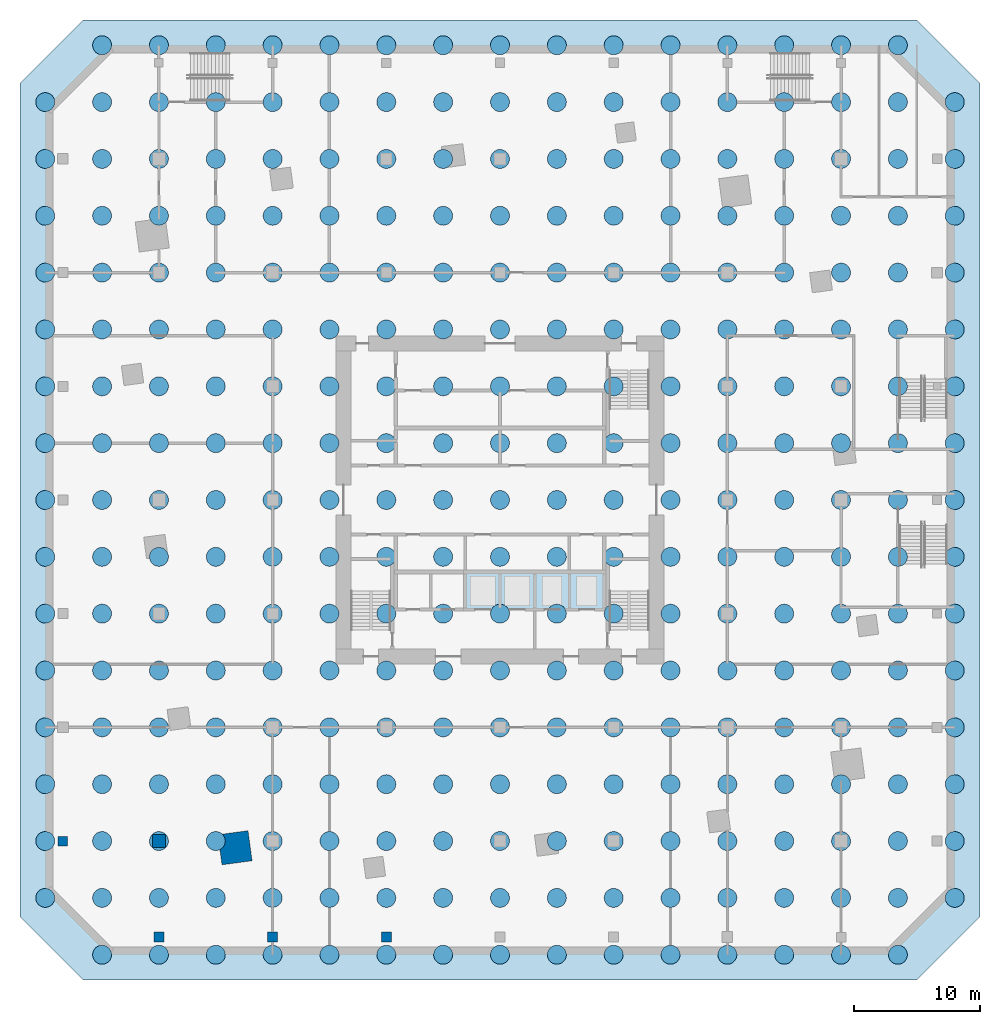
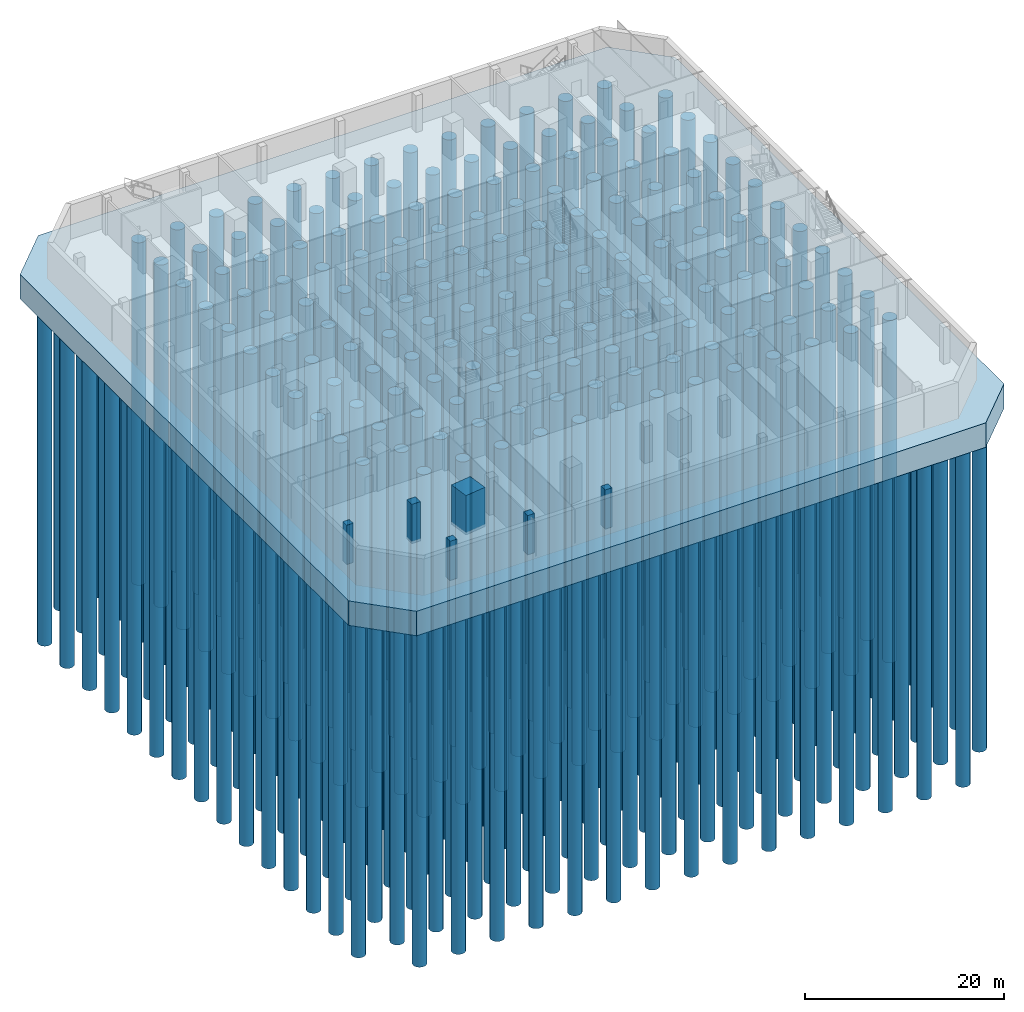
# One storey, part 1 of 12: 285 piles, 6 columns, 1 footing.
"""IFC4 building model written with IfcOpenShell, lengths in metres."""

from ifc_helpers import new_model, si_unit, direction, frame, origin, origin_2d, place, context, subcontext, project, spatial, polyline, rectangle, circle, outline, extrude, material, layer, layer_set, material_profile, profile_set, type_object, element, save


model = new_model("IFC4")

# Units and contexts
model_context = context("Model", 3, precision=1e-05, world=origin(), true_north=direction((0.0, 1.0)))
body_context = subcontext(model_context, "Body", "Model", "MODEL_VIEW")
ifc_project = project(units=[si_unit("LENGTHUNIT", "METRE"), si_unit("AREAUNIT", "SQUARE_METRE"), si_unit("VOLUMEUNIT", "CUBIC_METRE"), si_unit("PLANEANGLEUNIT", "RADIAN"), si_unit("MASSUNIT", "GRAM", prefix="KILO")], contexts=[model_context])

# Site, building, storey
site_placement = place(None, origin())
site = spatial("IfcSite", under=ifc_project, at=site_placement, CompositionType="ELEMENT")
building_placement = place(site_placement, origin())
building = spatial("IfcBuilding", under=site, at=building_placement, Name="Dilmun Exchange Tower", CompositionType="ELEMENT")
storey_placement = place(building_placement, frame((0.0, 0.0, -9.0)))
storey = spatial("IfcBuildingStorey", under=building, at=storey_placement, Name="B2", CompositionType="ELEMENT", Elevation=-9.0)

# Piles
ifc_material_1 = material(Name="Concrete C35/45", Category="concrete")
ifc_material_profile_1 = material_profile(ifc_material_1, circle(Radius=0.75, at=origin_2d()), Name="D1500")
ifc_profile_set_1 = profile_set([ifc_material_profile_1], Name="Concrete C35/45")
pile_type = type_object("IfcPileType", Name="Bored pile D1500", PredefinedType="BORED", material=ifc_profile_set_1)
for number, where, z_axis, x_axis, name in (
    (1, (-31.5, -36.0, -3.14990234375), (0.0, 0.0, -1.0), (1.0, 0.0, 0.0), "Raft pile"),
    (2, (-27.0, -36.0, -3.14990234375), (0.0, 0.0, -1.0), (1.0, 0.0, 0.0), "Raft pile"),
    (3, (-22.5, -36.0, -3.14990234375), (0.0, 0.0, -1.0), (1.0, 0.0, 0.0), "Raft pile"),
    (4, (-18.0, -36.0, -3.14990234375), (0.0, 0.0, -1.0), (1.0, 0.0, 0.0), "Raft pile"),
    (5, (-13.5, -36.0, -3.14990234375), (0.0, 0.0, -1.0), (1.0, 0.0, 0.0), "Raft pile"),
    (6, (-9.0, -36.0, -3.14990234375), (0.0, 0.0, -1.0), (1.0, 0.0, 0.0), "Raft pile"),
    (7, (-4.5, -36.0, -3.14990234375), (0.0, 0.0, -1.0), (1.0, 0.0, 0.0), "Raft pile"),
    (8, (0.0, -36.0, -3.14990234375), (0.0, 0.0, -1.0), (1.0, 0.0, 0.0), "Raft pile"),
    (9, (4.5, -36.0, -3.14990234375), (0.0, 0.0, -1.0), (1.0, 0.0, 0.0), "Raft pile"),
    (10, (9.0, -36.0, -3.14990234375), (0.0, 0.0, -1.0), (1.0, 0.0, 0.0), "Raft pile"),
    (11, (13.5, -36.0, -3.14990234375), (0.0, 0.0, -1.0), (1.0, 0.0, 0.0), "Raft pile"),
    (12, (18.0, -36.0, -3.14990234375), (0.0, 0.0, -1.0), (1.0, 0.0, 0.0), "Raft pile"),
    (13, (22.5, -36.0, -3.14990234375), (0.0, 0.0, -1.0), (1.0, 0.0, 0.0), "Raft pile"),
    (14, (27.0, -36.0, -3.14990234375), (0.0, 0.0, -1.0), (1.0, 0.0, 0.0), "Raft pile"),
    (15, (31.5, -36.0, -3.14990234375), (0.0, 0.0, -1.0), (1.0, 0.0, 0.0), "Raft pile"),
    (16, (-36.0, -31.5, -3.14990234375), (0.0, 0.0, -1.0), (1.0, 0.0, 0.0), "Raft pile"),
    (17, (-31.5, -31.5, -3.14990234375), (0.0, 0.0, -1.0), (1.0, 0.0, 0.0), "Raft pile"),
    (18, (-27.0, -31.5, -3.14990234375), (0.0, 0.0, -1.0), (1.0, 0.0, 0.0), "Raft pile"),
    (19, (-22.5, -31.5, -3.14990234375), (0.0, 0.0, -1.0), (1.0, 0.0, 0.0), "Raft pile"),
    (20, (-18.0, -31.5, -3.14990234375), (0.0, 0.0, -1.0), (1.0, 0.0, 0.0), "Raft pile"),
    (21, (-13.5, -31.5, -3.14990234375), (0.0, 0.0, -1.0), (1.0, 0.0, 0.0), "Raft pile"),
    (22, (-9.0, -31.5, -3.14990234375), (0.0, 0.0, -1.0), (1.0, 0.0, 0.0), "Raft pile"),
    (23, (-4.5, -31.5, -3.14990234375), (0.0, 0.0, -1.0), (1.0, 0.0, 0.0), "Raft pile"),
    (24, (0.0, -31.5, -3.14990234375), (0.0, 0.0, -1.0), (1.0, 0.0, 0.0), "Raft pile"),
    (25, (4.5, -31.5, -3.14990234375), (0.0, 0.0, -1.0), (1.0, 0.0, 0.0), "Raft pile"),
    (26, (9.0, -31.5, -3.14990234375), (0.0, 0.0, -1.0), (1.0, 0.0, 0.0), "Raft pile"),
    (27, (13.5, -31.5, -3.14990234375), (0.0, 0.0, -1.0), (1.0, 0.0, 0.0), "Raft pile"),
    (28, (18.0, -31.5, -3.14990234375), (0.0, 0.0, -1.0), (1.0, 0.0, 0.0), "Raft pile"),
    (29, (22.5, -31.5, -3.14990234375), (0.0, 0.0, -1.0), (1.0, 0.0, 0.0), "Raft pile"),
    (30, (27.0, -31.5, -3.14990234375), (0.0, 0.0, -1.0), (1.0, 0.0, 0.0), "Raft pile"),
    (31, (31.5, -31.5, -3.14990234375), (0.0, 0.0, -1.0), (1.0, 0.0, 0.0), "Raft pile"),
    (32, (36.0, -31.5, -3.14990234375), (0.0, 0.0, -1.0), (1.0, 0.0, 0.0), "Raft pile"),
    (33, (-36.0, -27.0, -3.14990234375), (0.0, 0.0, -1.0), (1.0, 0.0, 0.0), "Raft pile"),
    (34, (-31.5, -27.0, -3.14990234375), (0.0, 0.0, -1.0), (1.0, 0.0, 0.0), "Raft pile"),
    (35, (-27.0, -27.0, -3.14990234375), (0.0, 0.0, -1.0), (1.0, 0.0, 0.0), "Raft pile"),
    (36, (-22.5, -27.0, -3.14990234375), (0.0, 0.0, -1.0), (1.0, 0.0, 0.0), "Raft pile"),
    (37, (-18.0, -27.0, -3.14990234375), (0.0, 0.0, -1.0), (1.0, 0.0, 0.0), "Raft pile"),
    (38, (-13.5, -27.0, -3.14990234375), (0.0, 0.0, -1.0), (1.0, 0.0, 0.0), "Raft pile"),
    (39, (-9.0, -27.0, -3.14990234375), (0.0, 0.0, -1.0), (1.0, 0.0, 0.0), "Raft pile"),
    (40, (-4.5, -27.0, -3.14990234375), (0.0, 0.0, -1.0), (1.0, 0.0, 0.0), "Raft pile"),
    (41, (0.0, -27.0, -3.14990234375), (0.0, 0.0, -1.0), (1.0, 0.0, 0.0), "Raft pile"),
    (42, (4.5, -27.0, -3.14990234375), (0.0, 0.0, -1.0), (1.0, 0.0, 0.0), "Raft pile"),
    (43, (9.0, -27.0, -3.14990234375), (0.0, 0.0, -1.0), (1.0, 0.0, 0.0), "Raft pile"),
    (44, (13.5, -27.0, -3.14990234375), (0.0, 0.0, -1.0), (1.0, 0.0, 0.0), "Raft pile"),
    (45, (18.0, -27.0, -3.14990234375), (0.0, 0.0, -1.0), (1.0, 0.0, 0.0), "Raft pile"),
    (46, (22.5, -27.0, -3.14990234375), (0.0, 0.0, -1.0), (1.0, 0.0, 0.0), "Raft pile"),
    (47, (27.0, -27.0, -3.14990234375), (0.0, 0.0, -1.0), (1.0, 0.0, 0.0), "Raft pile"),
    (48, (31.5, -27.0, -3.14990234375), (0.0, 0.0, -1.0), (1.0, 0.0, 0.0), "Raft pile"),
    (49, (36.0, -27.0, -3.14990234375), (0.0, 0.0, -1.0), (1.0, 0.0, 0.0), "Raft pile"),
    (50, (-36.0, -22.5, -3.14990234375), (0.0, 0.0, -1.0), (1.0, 0.0, 0.0), "Raft pile"),
    (51, (-31.5, -22.5, -3.14990234375), (0.0, 0.0, -1.0), (1.0, 0.0, 0.0), "Raft pile"),
    (52, (-27.0, -22.5, -3.14990234375), (0.0, 0.0, -1.0), (1.0, 0.0, 0.0), "Raft pile"),
    (53, (-22.5, -22.5, -3.14990234375), (0.0, 0.0, -1.0), (1.0, 0.0, 0.0), "Raft pile"),
    (54, (-18.0, -22.5, -3.14990234375), (0.0, 0.0, -1.0), (1.0, 0.0, 0.0), "Raft pile"),
    (55, (-13.5, -22.5, -3.14990234375), (0.0, 0.0, -1.0), (1.0, 0.0, 0.0), "Raft pile"),
    (56, (-9.0, -22.5, -3.14990234375), (0.0, 0.0, -1.0), (1.0, 0.0, 0.0), "Raft pile"),
    (57, (-4.5, -22.5, -3.14990234375), (0.0, 0.0, -1.0), (1.0, 0.0, 0.0), "Raft pile"),
    (58, (0.0, -22.5, -3.14990234375), (0.0, 0.0, -1.0), (1.0, 0.0, 0.0), "Raft pile"),
    (59, (4.5, -22.5, -3.14990234375), (0.0, 0.0, -1.0), (1.0, 0.0, 0.0), "Raft pile"),
    (60, (9.0, -22.5, -3.14990234375), (0.0, 0.0, -1.0), (1.0, 0.0, 0.0), "Raft pile"),
    (61, (13.5, -22.5, -3.14990234375), (0.0, 0.0, -1.0), (1.0, 0.0, 0.0), "Raft pile"),
    (62, (18.0, -22.5, -3.14990234375), (0.0, 0.0, -1.0), (1.0, 0.0, 0.0), "Raft pile"),
    (63, (22.5, -22.5, -3.14990234375), (0.0, 0.0, -1.0), (1.0, 0.0, 0.0), "Raft pile"),
    (64, (27.0, -22.5, -3.14990234375), (0.0, 0.0, -1.0), (1.0, 0.0, 0.0), "Raft pile"),
    (65, (31.5, -22.5, -3.14990234375), (0.0, 0.0, -1.0), (1.0, 0.0, 0.0), "Raft pile"),
    (66, (36.0, -22.5, -3.14990234375), (0.0, 0.0, -1.0), (1.0, 0.0, 0.0), "Raft pile"),
    (67, (-36.0, -18.0, -3.14990234375), (0.0, 0.0, -1.0), (1.0, 0.0, 0.0), "Raft pile"),
    (68, (-31.5, -18.0, -3.14990234375), (0.0, 0.0, -1.0), (1.0, 0.0, 0.0), "Raft pile"),
    (69, (-27.0, -18.0, -3.14990234375), (0.0, 0.0, -1.0), (1.0, 0.0, 0.0), "Raft pile"),
    (70, (-22.5, -18.0, -3.14990234375), (0.0, 0.0, -1.0), (1.0, 0.0, 0.0), "Raft pile"),
    (71, (-18.0, -18.0, -3.14990234375), (0.0, 0.0, -1.0), (1.0, 0.0, 0.0), "Raft pile"),
    (72, (-13.5, -18.0, -3.14990234375), (0.0, 0.0, -1.0), (1.0, 0.0, 0.0), "Raft pile"),
    (73, (-9.0, -18.0, -3.14990234375), (0.0, 0.0, -1.0), (1.0, 0.0, 0.0), "Raft pile"),
    (74, (-4.5, -18.0, -3.14990234375), (0.0, 0.0, -1.0), (1.0, 0.0, 0.0), "Raft pile"),
    (75, (0.0, -18.0, -3.14990234375), (0.0, 0.0, -1.0), (1.0, 0.0, 0.0), "Raft pile"),
    (76, (4.5, -18.0, -3.14990234375), (0.0, 0.0, -1.0), (1.0, 0.0, 0.0), "Raft pile"),
    (77, (9.0, -18.0, -3.14990234375), (0.0, 0.0, -1.0), (1.0, 0.0, 0.0), "Raft pile"),
    (78, (13.5, -18.0, -3.14990234375), (0.0, 0.0, -1.0), (1.0, 0.0, 0.0), "Raft pile"),
    (79, (18.0, -18.0, -3.14990234375), (0.0, 0.0, -1.0), (1.0, 0.0, 0.0), "Raft pile"),
    (80, (22.5, -18.0, -3.14990234375), (0.0, 0.0, -1.0), (1.0, 0.0, 0.0), "Raft pile"),
    (81, (27.0, -18.0, -3.14990234375), (0.0, 0.0, -1.0), (1.0, 0.0, 0.0), "Raft pile"),
    (82, (31.5, -18.0, -3.14990234375), (0.0, 0.0, -1.0), (1.0, 0.0, 0.0), "Raft pile"),
    (83, (36.0, -18.0, -3.14990234375), (0.0, 0.0, -1.0), (1.0, 0.0, 0.0), "Raft pile"),
    (84, (-36.0, -13.5, -3.14990234375), (0.0, 0.0, -1.0), (1.0, 0.0, 0.0), "Raft pile"),
    (85, (-31.5, -13.5, -3.14990234375), (0.0, 0.0, -1.0), (1.0, 0.0, 0.0), "Raft pile"),
    (86, (-27.0, -13.5, -3.14990234375), (0.0, 0.0, -1.0), (1.0, 0.0, 0.0), "Raft pile"),
    (87, (-22.5, -13.5, -3.14990234375), (0.0, 0.0, -1.0), (1.0, 0.0, 0.0), "Raft pile"),
    (88, (-18.0, -13.5, -3.14990234375), (0.0, 0.0, -1.0), (1.0, 0.0, 0.0), "Raft pile"),
    (89, (-13.5, -13.5, -3.14990234375), (0.0, 0.0, -1.0), (1.0, 0.0, 0.0), "Raft pile"),
    (90, (-9.0, -13.5, -3.14990234375), (0.0, 0.0, -1.0), (1.0, 0.0, 0.0), "Raft pile"),
    (91, (-4.5, -13.5, -3.14990234375), (0.0, 0.0, -1.0), (1.0, 0.0, 0.0), "Raft pile"),
    (92, (0.0, -13.5, -3.14990234375), (0.0, 0.0, -1.0), (1.0, 0.0, 0.0), "Raft pile"),
    (93, (4.5, -13.5, -3.14990234375), (0.0, 0.0, -1.0), (1.0, 0.0, 0.0), "Raft pile"),
    (94, (9.0, -13.5, -3.14990234375), (0.0, 0.0, -1.0), (1.0, 0.0, 0.0), "Raft pile"),
    (95, (13.5, -13.5, -3.14990234375), (0.0, 0.0, -1.0), (1.0, 0.0, 0.0), "Raft pile"),
    (96, (18.0, -13.5, -3.14990234375), (0.0, 0.0, -1.0), (1.0, 0.0, 0.0), "Raft pile"),
    (97, (22.5, -13.5, -3.14990234375), (0.0, 0.0, -1.0), (1.0, 0.0, 0.0), "Raft pile"),
    (98, (27.0, -13.5, -3.14990234375), (0.0, 0.0, -1.0), (1.0, 0.0, 0.0), "Raft pile"),
    (99, (31.5, -13.5, -3.14990234375), (0.0, 0.0, -1.0), (1.0, 0.0, 0.0), "Raft pile"),
    (100, (36.0, -13.5, -3.14990234375), (0.0, 0.0, -1.0), (1.0, 0.0, 0.0), "Raft pile"),
    (101, (-36.0, -9.0, -3.14990234375), (0.0, 0.0, -1.0), (1.0, 0.0, 0.0), "Raft pile"),
    (102, (-31.5, -9.0, -3.14990234375), (0.0, 0.0, -1.0), (1.0, 0.0, 0.0), "Raft pile"),
    (103, (-27.0, -9.0, -3.14990234375), (0.0, 0.0, -1.0), (1.0, 0.0, 0.0), "Raft pile"),
    (104, (-22.5, -9.0, -3.14990234375), (0.0, 0.0, -1.0), (1.0, 0.0, 0.0), "Raft pile"),
    (105, (-18.0, -9.0, -3.14990234375), (0.0, 0.0, -1.0), (1.0, 0.0, 0.0), "Raft pile"),
    (106, (-13.5, -9.0, -3.14990234375), (0.0, 0.0, -1.0), (1.0, 0.0, 0.0), "Raft pile"),
    (107, (-9.0, -9.0, -3.14990234375), (0.0, 0.0, -1.0), (1.0, 0.0, 0.0), "Raft pile"),
    (108, (-4.5, -9.0, -3.14990234375), (0.0, 0.0, -1.0), (1.0, 0.0, 0.0), "Raft pile"),
    (109, (0.0, -9.0, -3.14990234375), (0.0, 0.0, -1.0), (1.0, 0.0, 0.0), "Raft pile"),
    (110, (4.5, -9.0, -3.14990234375), (0.0, 0.0, -1.0), (1.0, 0.0, 0.0), "Raft pile"),
    (111, (9.0, -9.0, -3.14990234375), (0.0, 0.0, -1.0), (1.0, 0.0, 0.0), "Raft pile"),
    (112, (13.5, -9.0, -3.14990234375), (0.0, 0.0, -1.0), (1.0, 0.0, 0.0), "Raft pile"),
    (113, (18.0, -9.0, -3.14990234375), (0.0, 0.0, -1.0), (1.0, 0.0, 0.0), "Raft pile"),
    (114, (22.5, -9.0, -3.14990234375), (0.0, 0.0, -1.0), (1.0, 0.0, 0.0), "Raft pile"),
    (115, (27.0, -9.0, -3.14990234375), (0.0, 0.0, -1.0), (1.0, 0.0, 0.0), "Raft pile"),
    (116, (31.5, -9.0, -3.14990234375), (0.0, 0.0, -1.0), (1.0, 0.0, 0.0), "Raft pile"),
    (117, (36.0, -9.0, -3.14990234375), (0.0, 0.0, -1.0), (1.0, 0.0, 0.0), "Raft pile"),
    (118, (-36.0, -4.5, -3.14990234375), (0.0, 0.0, -1.0), (1.0, 0.0, 0.0), "Raft pile"),
    (119, (-31.5, -4.5, -3.14990234375), (0.0, 0.0, -1.0), (1.0, 0.0, 0.0), "Raft pile"),
    (120, (-27.0, -4.5, -3.14990234375), (0.0, 0.0, -1.0), (1.0, 0.0, 0.0), "Raft pile"),
    (121, (-22.5, -4.5, -3.14990234375), (0.0, 0.0, -1.0), (1.0, 0.0, 0.0), "Raft pile"),
    (122, (-18.0, -4.5, -3.14990234375), (0.0, 0.0, -1.0), (1.0, 0.0, 0.0), "Raft pile"),
    (123, (-13.5, -4.5, -3.14990234375), (0.0, 0.0, -1.0), (1.0, 0.0, 0.0), "Raft pile"),
    (124, (-9.0, -4.5, -3.14990234375), (0.0, 0.0, -1.0), (1.0, 0.0, 0.0), "Raft pile"),
    (125, (-4.5, -4.5, -3.14990234375), (0.0, 0.0, -1.0), (1.0, 0.0, 0.0), "Raft pile"),
    (126, (0.0, -4.5, -3.14990234375), (0.0, 0.0, -1.0), (1.0, 0.0, 0.0), "Raft pile"),
    (127, (4.5, -4.5, -3.14990234375), (0.0, 0.0, -1.0), (1.0, 0.0, 0.0), "Raft pile"),
    (128, (9.0, -4.5, -3.14990234375), (0.0, 0.0, -1.0), (1.0, 0.0, 0.0), "Raft pile"),
    (129, (13.5, -4.5, -3.14990234375), (0.0, 0.0, -1.0), (1.0, 0.0, 0.0), "Raft pile"),
    (130, (18.0, -4.5, -3.14990234375), (0.0, 0.0, -1.0), (1.0, 0.0, 0.0), "Raft pile"),
    (131, (22.5, -4.5, -3.14990234375), (0.0, 0.0, -1.0), (1.0, 0.0, 0.0), "Raft pile"),
    (132, (27.0, -4.5, -3.14990234375), (0.0, 0.0, -1.0), (1.0, 0.0, 0.0), "Raft pile"),
    (133, (31.5, -4.5, -3.14990234375), (0.0, 0.0, -1.0), (1.0, 0.0, 0.0), "Raft pile"),
    (134, (36.0, -4.5, -3.14990234375), (0.0, 0.0, -1.0), (1.0, 0.0, 0.0), "Raft pile"),
    (135, (-36.0, 0.0, -3.14990234375), (0.0, 0.0, -1.0), (1.0, 0.0, 0.0), "Raft pile"),
    (136, (-31.5, 0.0, -3.14990234375), (0.0, 0.0, -1.0), (1.0, 0.0, 0.0), "Raft pile"),
    (137, (-27.0, 0.0, -3.14990234375), (0.0, 0.0, -1.0), (1.0, 0.0, 0.0), "Raft pile"),
    (138, (-22.5, 0.0, -3.14990234375), (0.0, 0.0, -1.0), (1.0, 0.0, 0.0), "Raft pile"),
    (139, (-18.0, 0.0, -3.14990234375), (0.0, 0.0, -1.0), (1.0, 0.0, 0.0), "Raft pile"),
    (140, (-13.5, 0.0, -3.14990234375), (0.0, 0.0, -1.0), (1.0, 0.0, 0.0), "Raft pile"),
    (141, (-9.0, 0.0, -3.14990234375), (0.0, 0.0, -1.0), (1.0, 0.0, 0.0), "Raft pile"),
    (142, (-4.5, 0.0, -3.14990234375), (0.0, 0.0, -1.0), (1.0, 0.0, 0.0), "Raft pile"),
    (143, (0.0, 0.0, -3.14990234375), (0.0, 0.0, -1.0), (1.0, 0.0, 0.0), "Raft pile"),
    (144, (4.5, 0.0, -3.14990234375), (0.0, 0.0, -1.0), (1.0, 0.0, 0.0), "Raft pile"),
    (145, (9.0, 0.0, -3.14990234375), (0.0, 0.0, -1.0), (1.0, 0.0, 0.0), "Raft pile"),
    (146, (13.5, 0.0, -3.14990234375), (0.0, 0.0, -1.0), (1.0, 0.0, 0.0), "Raft pile"),
    (147, (18.0, 0.0, -3.14990234375), (0.0, 0.0, -1.0), (1.0, 0.0, 0.0), "Raft pile"),
    (148, (22.5, 0.0, -3.14990234375), (0.0, 0.0, -1.0), (1.0, 0.0, 0.0), "Raft pile"),
    (149, (27.0, 0.0, -3.14990234375), (0.0, 0.0, -1.0), (1.0, 0.0, 0.0), "Raft pile"),
    (150, (31.5, 0.0, -3.14990234375), (0.0, 0.0, -1.0), (1.0, 0.0, 0.0), "Raft pile"),
    (151, (36.0, 0.0, -3.14990234375), (0.0, 0.0, -1.0), (1.0, 0.0, 0.0), "Raft pile"),
    (152, (-36.0, 4.5, -3.14990234375), (0.0, 0.0, -1.0), (1.0, 0.0, 0.0), "Raft pile"),
    (153, (-31.5, 4.5, -3.14990234375), (0.0, 0.0, -1.0), (1.0, 0.0, 0.0), "Raft pile"),
    (154, (-27.0, 4.5, -3.14990234375), (0.0, 0.0, -1.0), (1.0, 0.0, 0.0), "Raft pile"),
    (155, (-22.5, 4.5, -3.14990234375), (0.0, 0.0, -1.0), (1.0, 0.0, 0.0), "Raft pile"),
    (156, (-18.0, 4.5, -3.14990234375), (0.0, 0.0, -1.0), (1.0, 0.0, 0.0), "Raft pile"),
    (157, (-13.5, 4.5, -3.14990234375), (0.0, 0.0, -1.0), (1.0, 0.0, 0.0), "Raft pile"),
    (158, (-9.0, 4.5, -3.14990234375), (0.0, 0.0, -1.0), (1.0, 0.0, 0.0), "Raft pile"),
    (159, (-4.5, 4.5, -3.14990234375), (0.0, 0.0, -1.0), (1.0, 0.0, 0.0), "Raft pile"),
    (160, (0.0, 4.5, -3.14990234375), (0.0, 0.0, -1.0), (1.0, 0.0, 0.0), "Raft pile"),
    (161, (4.5, 4.5, -3.14990234375), (0.0, 0.0, -1.0), (1.0, 0.0, 0.0), "Raft pile"),
    (162, (9.0, 4.5, -3.14990234375), (0.0, 0.0, -1.0), (1.0, 0.0, 0.0), "Raft pile"),
    (163, (13.5, 4.5, -3.14990234375), (0.0, 0.0, -1.0), (1.0, 0.0, 0.0), "Raft pile"),
    (164, (18.0, 4.5, -3.14990234375), (0.0, 0.0, -1.0), (1.0, 0.0, 0.0), "Raft pile"),
    (165, (22.5, 4.5, -3.14990234375), (0.0, 0.0, -1.0), (1.0, 0.0, 0.0), "Raft pile"),
    (166, (27.0, 4.5, -3.14990234375), (0.0, 0.0, -1.0), (1.0, 0.0, 0.0), "Raft pile"),
    (167, (31.5, 4.5, -3.14990234375), (0.0, 0.0, -1.0), (1.0, 0.0, 0.0), "Raft pile"),
    (168, (36.0, 4.5, -3.14990234375), (0.0, 0.0, -1.0), (1.0, 0.0, 0.0), "Raft pile"),
    (169, (-36.0, 9.0, -3.14990234375), (0.0, 0.0, -1.0), (1.0, 0.0, 0.0), "Raft pile"),
    (170, (-31.5, 9.0, -3.14990234375), (0.0, 0.0, -1.0), (1.0, 0.0, 0.0), "Raft pile"),
    (171, (-27.0, 9.0, -3.14990234375), (0.0, 0.0, -1.0), (1.0, 0.0, 0.0), "Raft pile"),
    (172, (-22.5, 9.0, -3.14990234375), (0.0, 0.0, -1.0), (1.0, 0.0, 0.0), "Raft pile"),
    (173, (-18.0, 9.0, -3.14990234375), (0.0, 0.0, -1.0), (1.0, 0.0, 0.0), "Raft pile"),
    (174, (-13.5, 9.0, -3.14990234375), (0.0, 0.0, -1.0), (1.0, 0.0, 0.0), "Raft pile"),
    (175, (-9.0, 9.0, -3.14990234375), (0.0, 0.0, -1.0), (1.0, 0.0, 0.0), "Raft pile"),
    (176, (-4.5, 9.0, -3.14990234375), (0.0, 0.0, -1.0), (1.0, 0.0, 0.0), "Raft pile"),
    (177, (0.0, 9.0, -3.14990234375), (0.0, 0.0, -1.0), (1.0, 0.0, 0.0), "Raft pile"),
    (178, (4.5, 9.0, -3.14990234375), (0.0, 0.0, -1.0), (1.0, 0.0, 0.0), "Raft pile"),
    (179, (9.0, 9.0, -3.14990234375), (0.0, 0.0, -1.0), (1.0, 0.0, 0.0), "Raft pile"),
    (180, (13.5, 9.0, -3.14990234375), (0.0, 0.0, -1.0), (1.0, 0.0, 0.0), "Raft pile"),
    (181, (18.0, 9.0, -3.14990234375), (0.0, 0.0, -1.0), (1.0, 0.0, 0.0), "Raft pile"),
    (182, (22.5, 9.0, -3.14990234375), (0.0, 0.0, -1.0), (1.0, 0.0, 0.0), "Raft pile"),
    (183, (27.0, 9.0, -3.14990234375), (0.0, 0.0, -1.0), (1.0, 0.0, 0.0), "Raft pile"),
    (184, (31.5, 9.0, -3.14990234375), (0.0, 0.0, -1.0), (1.0, 0.0, 0.0), "Raft pile"),
    (185, (36.0, 9.0, -3.14990234375), (0.0, 0.0, -1.0), (1.0, 0.0, 0.0), "Raft pile"),
    (186, (-36.0, 13.5, -3.14990234375), (0.0, 0.0, -1.0), (1.0, 0.0, 0.0), "Raft pile"),
    (187, (-31.5, 13.5, -3.14990234375), (0.0, 0.0, -1.0), (1.0, 0.0, 0.0), "Raft pile"),
    (188, (-27.0, 13.5, -3.14990234375), (0.0, 0.0, -1.0), (1.0, 0.0, 0.0), "Raft pile"),
    (189, (-22.5, 13.5, -3.14990234375), (0.0, 0.0, -1.0), (1.0, 0.0, 0.0), "Raft pile"),
    (190, (-18.0, 13.5, -3.14990234375), (0.0, 0.0, -1.0), (1.0, 0.0, 0.0), "Raft pile"),
    (191, (-13.5, 13.5, -3.14990234375), (0.0, 0.0, -1.0), (1.0, 0.0, 0.0), "Raft pile"),
    (192, (-9.0, 13.5, -3.14990234375), (0.0, 0.0, -1.0), (1.0, 0.0, 0.0), "Raft pile"),
    (193, (-4.5, 13.5, -3.14990234375), (0.0, 0.0, -1.0), (1.0, 0.0, 0.0), "Raft pile"),
    (194, (0.0, 13.5, -3.14990234375), (0.0, 0.0, -1.0), (1.0, 0.0, 0.0), "Raft pile"),
    (195, (4.5, 13.5, -3.14990234375), (0.0, 0.0, -1.0), (1.0, 0.0, 0.0), "Raft pile"),
    (196, (9.0, 13.5, -3.14990234375), (0.0, 0.0, -1.0), (1.0, 0.0, 0.0), "Raft pile"),
    (197, (13.5, 13.5, -3.14990234375), (0.0, 0.0, -1.0), (1.0, 0.0, 0.0), "Raft pile"),
    (198, (18.0, 13.5, -3.14990234375), (0.0, 0.0, -1.0), (1.0, 0.0, 0.0), "Raft pile"),
    (199, (22.5, 13.5, -3.14990234375), (0.0, 0.0, -1.0), (1.0, 0.0, 0.0), "Raft pile"),
    (200, (27.0, 13.5, -3.14990234375), (0.0, 0.0, -1.0), (1.0, 0.0, 0.0), "Raft pile"),
    (201, (31.5, 13.5, -3.14990234375), (0.0, 0.0, -1.0), (1.0, 0.0, 0.0), "Raft pile"),
    (202, (36.0, 13.5, -3.14990234375), (0.0, 0.0, -1.0), (1.0, 0.0, 0.0), "Raft pile"),
    (203, (-36.0, 18.0, -3.14990234375), (0.0, 0.0, -1.0), (1.0, 0.0, 0.0), "Raft pile"),
    (204, (-31.5, 18.0, -3.14990234375), (0.0, 0.0, -1.0), (1.0, 0.0, 0.0), "Raft pile"),
    (205, (-27.0, 18.0, -3.14990234375), (0.0, 0.0, -1.0), (1.0, 0.0, 0.0), "Raft pile"),
    (206, (-22.5, 18.0, -3.14990234375), (0.0, 0.0, -1.0), (1.0, 0.0, 0.0), "Raft pile"),
    (207, (-18.0, 18.0, -3.14990234375), (0.0, 0.0, -1.0), (1.0, 0.0, 0.0), "Raft pile"),
    (208, (-13.5, 18.0, -3.14990234375), (0.0, 0.0, -1.0), (1.0, 0.0, 0.0), "Raft pile"),
    (209, (-9.0, 18.0, -3.14990234375), (0.0, 0.0, -1.0), (1.0, 0.0, 0.0), "Raft pile"),
    (210, (-4.5, 18.0, -3.14990234375), (0.0, 0.0, -1.0), (1.0, 0.0, 0.0), "Raft pile"),
    (211, (0.0, 18.0, -3.14990234375), (0.0, 0.0, -1.0), (1.0, 0.0, 0.0), "Raft pile"),
    (212, (4.5, 18.0, -3.14990234375), (0.0, 0.0, -1.0), (1.0, 0.0, 0.0), "Raft pile"),
    (213, (9.0, 18.0, -3.14990234375), (0.0, 0.0, -1.0), (1.0, 0.0, 0.0), "Raft pile"),
    (214, (13.5, 18.0, -3.14990234375), (0.0, 0.0, -1.0), (1.0, 0.0, 0.0), "Raft pile"),
    (215, (18.0, 18.0, -3.14990234375), (0.0, 0.0, -1.0), (1.0, 0.0, 0.0), "Raft pile"),
    (216, (22.5, 18.0, -3.14990234375), (0.0, 0.0, -1.0), (1.0, 0.0, 0.0), "Raft pile"),
    (217, (27.0, 18.0, -3.14990234375), (0.0, 0.0, -1.0), (1.0, 0.0, 0.0), "Raft pile"),
    (218, (31.5, 18.0, -3.14990234375), (0.0, 0.0, -1.0), (1.0, 0.0, 0.0), "Raft pile"),
    (219, (36.0, 18.0, -3.14990234375), (0.0, 0.0, -1.0), (1.0, 0.0, 0.0), "Raft pile"),
    (220, (-36.0, 22.5, -3.14990234375), (0.0, 0.0, -1.0), (1.0, 0.0, 0.0), "Raft pile"),
    (221, (-31.5, 22.5, -3.14990234375), (0.0, 0.0, -1.0), (1.0, 0.0, 0.0), "Raft pile"),
    (222, (-27.0, 22.5, -3.14990234375), (0.0, 0.0, -1.0), (1.0, 0.0, 0.0), "Raft pile"),
    (223, (-22.5, 22.5, -3.14990234375), (0.0, 0.0, -1.0), (1.0, 0.0, 0.0), "Raft pile"),
    (224, (-18.0, 22.5, -3.14990234375), (0.0, 0.0, -1.0), (1.0, 0.0, 0.0), "Raft pile"),
    (225, (-13.5, 22.5, -3.14990234375), (0.0, 0.0, -1.0), (1.0, 0.0, 0.0), "Raft pile"),
    (226, (-9.0, 22.5, -3.14990234375), (0.0, 0.0, -1.0), (1.0, 0.0, 0.0), "Raft pile"),
    (227, (-4.5, 22.5, -3.14990234375), (0.0, 0.0, -1.0), (1.0, 0.0, 0.0), "Raft pile"),
    (228, (0.0, 22.5, -3.14990234375), (0.0, 0.0, -1.0), (1.0, 0.0, 0.0), "Raft pile"),
    (229, (4.5, 22.5, -3.14990234375), (0.0, 0.0, -1.0), (1.0, 0.0, 0.0), "Raft pile"),
    (230, (9.0, 22.5, -3.14990234375), (0.0, 0.0, -1.0), (1.0, 0.0, 0.0), "Raft pile"),
    (231, (13.5, 22.5, -3.14990234375), (0.0, 0.0, -1.0), (1.0, 0.0, 0.0), "Raft pile"),
    (232, (18.0, 22.5, -3.14990234375), (0.0, 0.0, -1.0), (1.0, 0.0, 0.0), "Raft pile"),
    (233, (22.5, 22.5, -3.14990234375), (0.0, 0.0, -1.0), (1.0, 0.0, 0.0), "Raft pile"),
    (234, (27.0, 22.5, -3.14990234375), (0.0, 0.0, -1.0), (1.0, 0.0, 0.0), "Raft pile"),
    (235, (31.5, 22.5, -3.14990234375), (0.0, 0.0, -1.0), (1.0, 0.0, 0.0), "Raft pile"),
    (236, (36.0, 22.5, -3.14990234375), (0.0, 0.0, -1.0), (1.0, 0.0, 0.0), "Raft pile"),
    (237, (-36.0, 27.0, -3.14990234375), (0.0, 0.0, -1.0), (1.0, 0.0, 0.0), "Raft pile"),
    (238, (-31.5, 27.0, -3.14990234375), (0.0, 0.0, -1.0), (1.0, 0.0, 0.0), "Raft pile"),
    (239, (-27.0, 27.0, -3.14990234375), (0.0, 0.0, -1.0), (1.0, 0.0, 0.0), "Raft pile"),
    (240, (-22.5, 27.0, -3.14990234375), (0.0, 0.0, -1.0), (1.0, 0.0, 0.0), "Raft pile"),
    (241, (-18.0, 27.0, -3.14990234375), (0.0, 0.0, -1.0), (1.0, 0.0, 0.0), "Raft pile"),
    (242, (-13.5, 27.0, -3.14990234375), (0.0, 0.0, -1.0), (1.0, 0.0, 0.0), "Raft pile"),
    (243, (-9.0, 27.0, -3.14990234375), (0.0, 0.0, -1.0), (1.0, 0.0, 0.0), "Raft pile"),
    (244, (-4.5, 27.0, -3.14990234375), (0.0, 0.0, -1.0), (1.0, 0.0, 0.0), "Raft pile"),
    (245, (0.0, 27.0, -3.14990234375), (0.0, 0.0, -1.0), (1.0, 0.0, 0.0), "Raft pile"),
    (246, (4.5, 27.0, -3.14990234375), (0.0, 0.0, -1.0), (1.0, 0.0, 0.0), "Raft pile"),
    (247, (9.0, 27.0, -3.14990234375), (0.0, 0.0, -1.0), (1.0, 0.0, 0.0), "Raft pile"),
    (248, (13.5, 27.0, -3.14990234375), (0.0, 0.0, -1.0), (1.0, 0.0, 0.0), "Raft pile"),
    (249, (18.0, 27.0, -3.14990234375), (0.0, 0.0, -1.0), (1.0, 0.0, 0.0), "Raft pile"),
    (250, (22.5, 27.0, -3.14990234375), (0.0, 0.0, -1.0), (1.0, 0.0, 0.0), "Raft pile"),
    (251, (27.0, 27.0, -3.14990234375), (0.0, 0.0, -1.0), (1.0, 0.0, 0.0), "Raft pile"),
    (252, (31.5, 27.0, -3.14990234375), (0.0, 0.0, -1.0), (1.0, 0.0, 0.0), "Raft pile"),
    (253, (36.0, 27.0, -3.14990234375), (0.0, 0.0, -1.0), (1.0, 0.0, 0.0), "Raft pile"),
    (254, (-36.0, 31.5, -3.14990234375), (0.0, 0.0, -1.0), (1.0, 0.0, 0.0), "Raft pile"),
    (255, (-31.5, 31.5, -3.14990234375), (0.0, 0.0, -1.0), (1.0, 0.0, 0.0), "Raft pile"),
    (256, (-27.0, 31.5, -3.14990234375), (0.0, 0.0, -1.0), (1.0, 0.0, 0.0), "Raft pile"),
    (257, (-22.5, 31.5, -3.14990234375), (0.0, 0.0, -1.0), (1.0, 0.0, 0.0), "Raft pile"),
    (258, (-18.0, 31.5, -3.14990234375), (0.0, 0.0, -1.0), (1.0, 0.0, 0.0), "Raft pile"),
    (259, (-13.5, 31.5, -3.14990234375), (0.0, 0.0, -1.0), (1.0, 0.0, 0.0), "Raft pile"),
    (260, (-9.0, 31.5, -3.14990234375), (0.0, 0.0, -1.0), (1.0, 0.0, 0.0), "Raft pile"),
    (261, (-4.5, 31.5, -3.14990234375), (0.0, 0.0, -1.0), (1.0, 0.0, 0.0), "Raft pile"),
    (262, (0.0, 31.5, -3.14990234375), (0.0, 0.0, -1.0), (1.0, 0.0, 0.0), "Raft pile"),
    (263, (4.5, 31.5, -3.14990234375), (0.0, 0.0, -1.0), (1.0, 0.0, 0.0), "Raft pile"),
    (264, (9.0, 31.5, -3.14990234375), (0.0, 0.0, -1.0), (1.0, 0.0, 0.0), "Raft pile"),
    (265, (13.5, 31.5, -3.14990234375), (0.0, 0.0, -1.0), (1.0, 0.0, 0.0), "Raft pile"),
    (266, (18.0, 31.5, -3.14990234375), (0.0, 0.0, -1.0), (1.0, 0.0, 0.0), "Raft pile"),
    (267, (22.5, 31.5, -3.14990234375), (0.0, 0.0, -1.0), (1.0, 0.0, 0.0), "Raft pile"),
    (268, (27.0, 31.5, -3.14990234375), (0.0, 0.0, -1.0), (1.0, 0.0, 0.0), "Raft pile"),
    (269, (31.5, 31.5, -3.14990234375), (0.0, 0.0, -1.0), (1.0, 0.0, 0.0), "Raft pile"),
    (270, (36.0, 31.5, -3.14990234375), (0.0, 0.0, -1.0), (1.0, 0.0, 0.0), "Raft pile"),
    (271, (-31.5, 36.0, -3.14990234375), (0.0, 0.0, -1.0), (1.0, 0.0, 0.0), "Raft pile"),
    (272, (-27.0, 36.0, -3.14990234375), (0.0, 0.0, -1.0), (1.0, 0.0, 0.0), "Raft pile"),
    (273, (-22.5, 36.0, -3.14990234375), (0.0, 0.0, -1.0), (1.0, 0.0, 0.0), "Raft pile"),
    (274, (-18.0, 36.0, -3.14990234375), (0.0, 0.0, -1.0), (1.0, 0.0, 0.0), "Raft pile"),
    (275, (-13.5, 36.0, -3.14990234375), (0.0, 0.0, -1.0), (1.0, 0.0, 0.0), "Raft pile"),
    (276, (-9.0, 36.0, -3.14990234375), (0.0, 0.0, -1.0), (1.0, 0.0, 0.0), "Raft pile"),
    (277, (-4.5, 36.0, -3.14990234375), (0.0, 0.0, -1.0), (1.0, 0.0, 0.0), "Raft pile"),
    (278, (0.0, 36.0, -3.14990234375), (0.0, 0.0, -1.0), (1.0, 0.0, 0.0), "Raft pile"),
    (279, (4.5, 36.0, -3.14990234375), (0.0, 0.0, -1.0), (1.0, 0.0, 0.0), "Raft pile"),
    (280, (9.0, 36.0, -3.14990234375), (0.0, 0.0, -1.0), (1.0, 0.0, 0.0), "Raft pile"),
    (281, (13.5, 36.0, -3.14990234375), (0.0, 0.0, -1.0), (1.0, 0.0, 0.0), "Raft pile"),
    (282, (18.0, 36.0, -3.14990234375), (0.0, 0.0, -1.0), (1.0, 0.0, 0.0), "Raft pile"),
    (283, (22.5, 36.0, -3.14990234375), (0.0, 0.0, -1.0), (1.0, 0.0, 0.0), "Raft pile"),
    (284, (27.0, 36.0, -3.14990234375), (0.0, 0.0, -1.0), (1.0, 0.0, 0.0), "Raft pile"),
    (285, (31.5, 36.0, -3.14990234375), (0.0, 0.0, -1.0), (1.0, 0.0, 0.0), "Raft pile"),
):
    element("IfcPile", number, at=place(storey_placement, frame(where, z_axis=z_axis, x_axis=x_axis)), inside=storey, type_object=pile_type, Name=name, PredefinedType="BORED", context=body_context, shape_type="SweptSolid", body=[
        extrude(circle(Radius=0.75, at=origin_2d()), origin(), (0.0, 0.0, 1.0), 42.0),
    ])

# Footing
ifc_material_2 = material(Name="Concrete C40/50", Category="concrete")
ifc_layer = layer(ifc_material_2, 3.0)
ifc_layer_set = layer_set([ifc_layer], Name="Concrete C40/50")
footing_type = type_object("IfcFootingType", Name="Piled raft 3000", PredefinedType="PILE_CAP", material=ifc_layer_set)
footing_placement = place(storey_placement, frame((0.0, 0.0, -3.300048828125)))
element("IfcFooting", 286, at=footing_placement, inside=storey, type_object=footing_type, Name="Tower piled raft", PredefinedType="PILE_CAP", context=body_context, shape_type="SweptSolid", body=[
    extrude(outline(polyline([(-33.0, -38.0), (33.0, -38.0), (38.0, -33.0), (38.0, 33.0), (33.0, 38.0), (-33.0, 38.0), (-38.0, 33.0), (-38.0, -33.0), (-33.0, -38.0)])), origin(), (0.0, 0.0, 1.0), 3.0),
])

# Columns
ifc_material_3 = material(Name="Concrete C80/95", Category="concrete")
ifc_material_profile_2 = material_profile(ifc_material_3, rectangle(XDim=2.39990234375, YDim=2.39990234375, at=origin_2d()), Name="2400 x 2400")
ifc_profile_set_2 = profile_set([ifc_material_profile_2], Name="Concrete C80/95")
column_type_1 = type_object("IfcColumnType", Name="RC mega column 2400 x 2400 C80/95", PredefinedType="COLUMN", material=ifc_profile_set_2)
column_1_placement = place(storey_placement, frame((-20.97900390625, -27.531005859375, -0.300048828125), z_axis=(0.0, 0.0, 1.0), x_axis=(0.991001197216, 0.133853005627, 0.0)))
element("IfcColumn", 287, at=column_1_placement, inside=storey, type_object=column_type_1, Name="Mega column M3", PredefinedType="COLUMN", context=body_context, shape_type="SweptSolid", body=[
    extrude(rectangle(XDim=2.39990234375, YDim=2.39990234375, at=origin_2d()), origin(), (0.0, 0.0, 1.0), 4.800048828125),
])
ifc_material_4 = material(Name="Concrete C60/75", Category="concrete")
ifc_material_profile_3 = material_profile(ifc_material_4, rectangle(XDim=1.0, YDim=1.0, at=origin_2d()), Name="1000 x 1000")
ifc_profile_set_3 = profile_set([ifc_material_profile_3], Name="Concrete C60/75")
column_type_2 = type_object("IfcColumnType", Name="RC podium column 1000 x 1000 C60/75", PredefinedType="COLUMN", material=ifc_profile_set_3)
column_2_placement = place(storey_placement, frame((-27.0, -27.0, -0.300048828125), z_axis=(0.0, 0.0, 1.0), x_axis=(1.0, 0.0, 0.0)))
element("IfcColumn", 288, at=column_2_placement, inside=storey, type_object=column_type_2, Name="Podium column 6F", PredefinedType="COLUMN", context=body_context, shape_type="SweptSolid", body=[
    extrude(rectangle(XDim=1.0, YDim=1.0, at=origin_2d()), origin(), (0.0, 0.0, 1.0), 4.800048828125),
])
ifc_material_profile_4 = material_profile(ifc_material_4, rectangle(XDim=0.75, YDim=0.75, at=origin_2d()), Name="750 x 750")
ifc_profile_set_4 = profile_set([ifc_material_profile_4], Name="Concrete C60/75")
column_type_3 = type_object("IfcColumnType", Name="RC podium column 750 x 750 C60/75", PredefinedType="COLUMN", material=ifc_profile_set_4)
column_3_placement = place(storey_placement, frame((-34.60009765625, -27.0, -0.300048828125), z_axis=(0.0, 0.0, 1.0), x_axis=(1.0, 0.0, 0.0)))
element("IfcColumn", 289, at=column_3_placement, inside=storey, type_object=column_type_3, Name="Podium column 5F", PredefinedType="COLUMN", context=body_context, shape_type="SweptSolid", body=[
    extrude(rectangle(XDim=0.75, YDim=0.75, at=origin_2d()), origin(), (0.0, 0.0, 1.0), 4.800048828125),
])
ifc_material_profile_5 = material_profile(ifc_material_4, rectangle(XDim=0.800048828125, YDim=0.800048828125, at=origin_2d()), Name="800 x 800")
ifc_profile_set_5 = profile_set([ifc_material_profile_5], Name="Concrete C60/75")
column_type_4 = type_object("IfcColumnType", Name="RC podium column 800 x 800 C60/75", PredefinedType="COLUMN", material=ifc_profile_set_5)
for number, where, z_axis, x_axis, name in (
    (290, (-27.0, -34.60009765625, -0.300048828125), (0.0, 0.0, 1.0), (1.0, 0.0, 0.0), "Podium column 6E"),
    (291, (-18.0, -34.60009765625, -0.300048828125), (0.0, 0.0, 1.0), (1.0, 0.0, 0.0), "Podium column 7E"),
    (292, (-9.0, -34.60009765625, -0.300048828125), (0.0, 0.0, 1.0), (1.0, 0.0, 0.0), "Podium column 8E"),
):
    element("IfcColumn", number, at=place(storey_placement, frame(where, z_axis=z_axis, x_axis=x_axis)), inside=storey, type_object=column_type_4, Name=name, PredefinedType="COLUMN", context=body_context, shape_type="SweptSolid", body=[
        extrude(rectangle(XDim=0.800048828125, YDim=0.800048828125, at=origin_2d()), origin(), (0.0, 0.0, 1.0), 4.800048828125),
    ])

save(model, "model.ifc")
